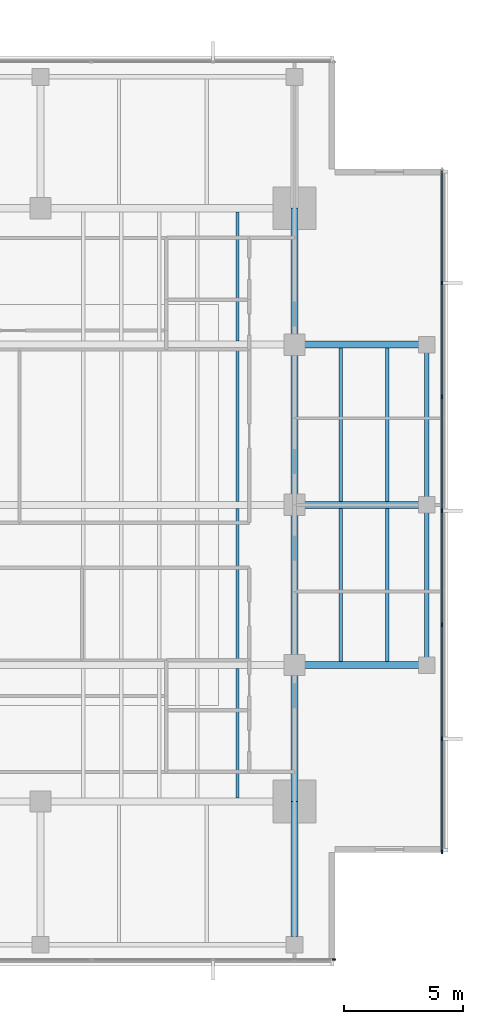
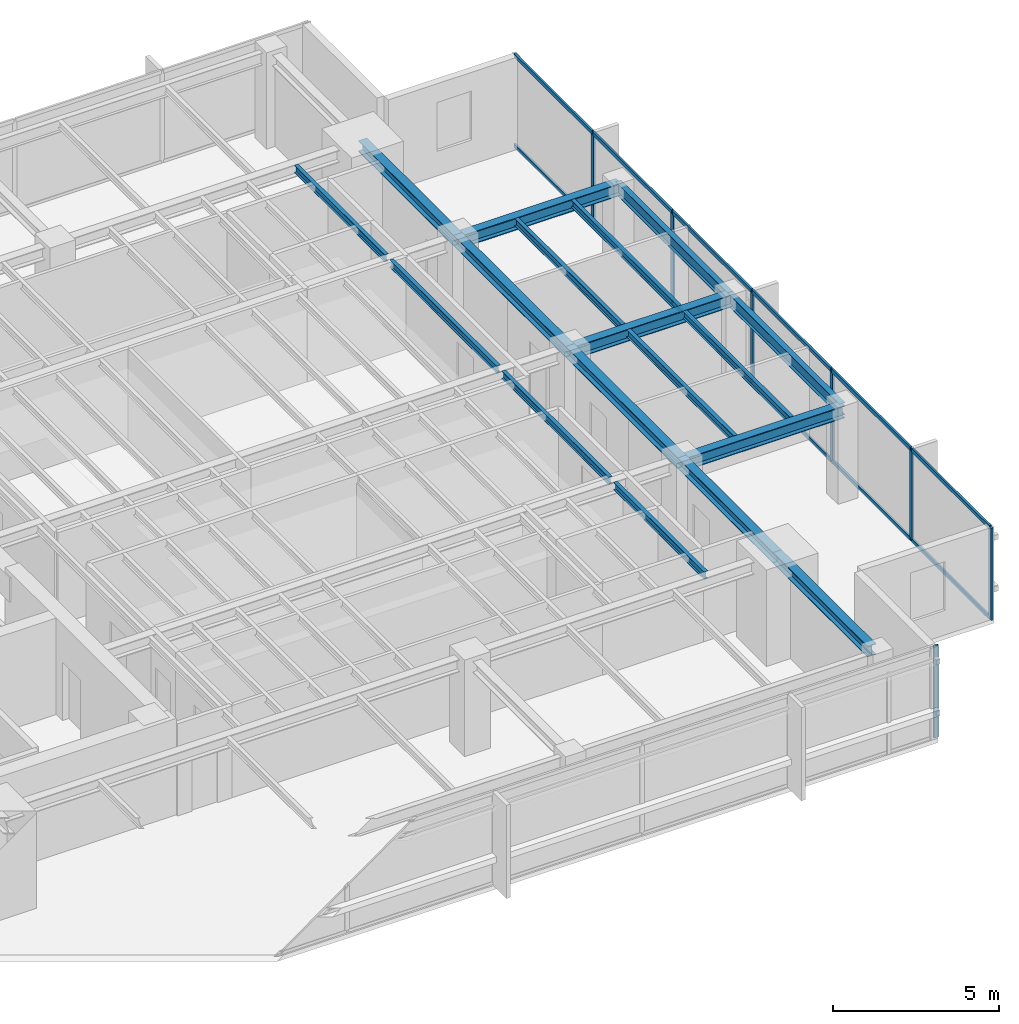
# One storey, part 4 of 14: 19 members, 18 beams, 2 elements without a shape of their own.
"""IFC4 building model written with IfcOpenShell, lengths in metres."""

from ifc_helpers import new_model, si_unit, direction, frame, origin, origin_2d, place, context, subcontext, project, spatial, rectangle, i_section, extrude, material, layer, layer_set, material_profile, profile_set, type_object, element, aggregate, save


model = new_model("IFC4")

# Units and contexts
model_context = context("Model", 3, precision=1e-05, world=origin(), true_north=direction((0.0, 1.0)))
body_context = subcontext(model_context, "Body", "Model", "MODEL_VIEW")
ifc_project = project(units=[si_unit("LENGTHUNIT", "METRE"), si_unit("AREAUNIT", "SQUARE_METRE"), si_unit("VOLUMEUNIT", "CUBIC_METRE"), si_unit("PLANEANGLEUNIT", "RADIAN"), si_unit("MASSUNIT", "GRAM", prefix="KILO")], contexts=[model_context])

# Site, building, storey
site_placement = place(None, origin())
site = spatial("IfcSite", under=ifc_project, at=site_placement, CompositionType="ELEMENT")
building_placement = place(site_placement, origin())
building = spatial("IfcBuilding", under=site, at=building_placement, Name="Kinhvarn Gate Tower", CompositionType="ELEMENT")
storey_placement = place(building_placement, frame((0.0, 0.0, 256.35009765625)))
storey = spatial("IfcBuildingStorey", under=building, at=storey_placement, Name="L68", CompositionType="ELEMENT", Elevation=256.35009765625)

# Curtain wall, member
ifc_material_1 = material(Name="Anodised aluminium AW-6063", Category="aluminium")
ifc_layer = layer(ifc_material_1, 0.179931640625)
ifc_layer_set = layer_set([ifc_layer], Name="Anodised aluminium AW-6063")
curtain_wall_type = type_object("IfcCurtainWallType", Name="CW-SYS-3", PredefinedType="NOTDEFINED", material=ifc_layer_set)
curtain_wall_1_placement = place(storey_placement, origin())
curtain_wall_1 = element("IfcCurtainWall", 1, at=curtain_wall_1_placement, inside=storey, type_object=curtain_wall_type, Name="Curtain Wall CW3 (L68)", PredefinedType="NOTDEFINED")
ifc_material_profile_1 = material_profile(ifc_material_1, rectangle(XDim=0.06494140625, YDim=0.159912109375, at=origin_2d()), Name="ALU 65x160")
ifc_profile_set_1 = profile_set([ifc_material_profile_1], Name="Anodised aluminium AW-6063")
member_type_1 = type_object("IfcMemberType", Name="CW-MUL-160", PredefinedType="MULLION", material=ifc_profile_set_1)
member_1_placement = place(storey_placement, frame((39.867431640625, 6.090087890625, 0.0), z_axis=(0.0, 0.0, 1.0), x_axis=(0.0, 1.0, 0.0)))
member_1 = element("IfcMember", 2, at=member_1_placement, type_object=member_type_1, Name="CW3 mullion 7", PredefinedType="MULLION", context=body_context, shape_type="SweptSolid", body=[
    extrude(rectangle(XDim=0.06494140625, YDim=0.159912109375, at=origin_2d()), origin(), (0.0, 0.0, 1.0), 3.389892578125),
])
aggregate(curtain_wall_1, [member_1])

# Curtain wall, members
curtain_wall_2_placement = place(storey_placement, origin())
curtain_wall_2 = element("IfcCurtainWall", 3, at=curtain_wall_2_placement, inside=storey, type_object=curtain_wall_type, Name="Curtain Wall CW3 (L68)", PredefinedType="NOTDEFINED")
member_2_placement = place(storey_placement, frame((44.409912109375, 10.632568359375, 0.0), z_axis=(0.0, 0.0, 1.0), x_axis=(-1.0, 0.0, 0.0)))
member_2 = element("IfcMember", 4, at=member_2_placement, type_object=member_type_1, Name="CW3 mullion 1", PredefinedType="MULLION", context=body_context, shape_type="SweptSolid", body=[
    extrude(rectangle(XDim=0.06494140625, YDim=0.159912109375, at=origin_2d()), origin(), (0.0, 0.0, 1.0), 3.389892578125),
])
member_3_placement = place(storey_placement, frame((44.409912109375, 15.39990234375, 0.0), z_axis=(0.0, 0.0, 1.0), x_axis=(-1.0, 0.0, 0.0)))
member_3 = element("IfcMember", 5, at=member_3_placement, type_object=member_type_1, Name="CW3 mullion 2", PredefinedType="MULLION", context=body_context, shape_type="SweptSolid", body=[
    extrude(rectangle(XDim=0.06494140625, YDim=0.159912109375, at=origin_2d()), origin(), (0.0, 0.0, 1.0), 3.389892578125),
])
member_4_placement = place(storey_placement, frame((44.409912109375, 20.199951171875, 0.0), z_axis=(0.0, 0.0, 1.0), x_axis=(-1.0, 0.0, 0.0)))
member_4 = element("IfcMember", 6, at=member_4_placement, type_object=member_type_1, Name="CW3 mullion 3", PredefinedType="MULLION", context=body_context, shape_type="SweptSolid", body=[
    extrude(rectangle(XDim=0.06494140625, YDim=0.159912109375, at=origin_2d()), origin(), (0.0, 0.0, 1.0), 3.389892578125),
])
member_5_placement = place(storey_placement, frame((44.409912109375, 25.0, 0.0), z_axis=(0.0, 0.0, 1.0), x_axis=(-1.0, 0.0, 0.0)))
member_5 = element("IfcMember", 7, at=member_5_placement, type_object=member_type_1, Name="CW3 mullion 4", PredefinedType="MULLION", context=body_context, shape_type="SweptSolid", body=[
    extrude(rectangle(XDim=0.06494140625, YDim=0.159912109375, at=origin_2d()), origin(), (0.0, 0.0, 1.0), 3.389892578125),
])
member_6_placement = place(storey_placement, frame((44.409912109375, 29.800048828125, 0.0), z_axis=(0.0, 0.0, 1.0), x_axis=(-1.0, 0.0, 0.0)))
member_6 = element("IfcMember", 8, at=member_6_placement, type_object=member_type_1, Name="CW3 mullion 5", PredefinedType="MULLION", context=body_context, shape_type="SweptSolid", body=[
    extrude(rectangle(XDim=0.06494140625, YDim=0.159912109375, at=origin_2d()), origin(), (0.0, 0.0, 1.0), 3.389892578125),
])
member_7_placement = place(storey_placement, frame((44.409912109375, 34.60009765625, 0.0), z_axis=(0.0, 0.0, 1.0), x_axis=(-1.0, 0.0, 0.0)))
member_7 = element("IfcMember", 9, at=member_7_placement, type_object=member_type_1, Name="CW3 mullion 6", PredefinedType="MULLION", context=body_context, shape_type="SweptSolid", body=[
    extrude(rectangle(XDim=0.06494140625, YDim=0.159912109375, at=origin_2d()), origin(), (0.0, 0.0, 1.0), 3.389892578125),
])
ifc_material_profile_2 = material_profile(ifc_material_1, rectangle(XDim=0.070068359375, YDim=0.139892578125, at=origin_2d()), Name="ALU 70x140")
ifc_profile_set_2 = profile_set([ifc_material_profile_2], Name="Anodised aluminium AW-6063")
member_type_2 = type_object("IfcMemberType", Name="CW-TRN-140", PredefinedType="USERDEFINED", material=ifc_profile_set_2)
member_8_placement = place(storey_placement, frame((44.409912109375, 10.6650390625, 0.034912109375), z_axis=(0.0, 1.0, 0.0), x_axis=(-1.0, 0.0, 0.0)))
member_8 = element("IfcMember", 10, at=member_8_placement, type_object=member_type_2, Name="CW3 transom 1.1", ObjectType="TRANSOM", PredefinedType="USERDEFINED", context=body_context, shape_type="SweptSolid", body=[
    extrude(rectangle(XDim=0.070068359375, YDim=0.139892578125, at=origin_2d()), origin(), (0.0, 0.0, 1.0), 4.702392578125),
])
member_9_placement = place(storey_placement, frame((44.409912109375, 10.6650390625, 3.35498046875), z_axis=(0.0, 1.0, 0.0), x_axis=(-1.0, 0.0, 0.0)))
member_9 = element("IfcMember", 11, at=member_9_placement, type_object=member_type_2, Name="CW3 transom 1.2", ObjectType="TRANSOM", PredefinedType="USERDEFINED", context=body_context, shape_type="SweptSolid", body=[
    extrude(rectangle(XDim=0.070068359375, YDim=0.139892578125, at=origin_2d()), origin(), (0.0, 0.0, 1.0), 4.702392578125),
])
member_10_placement = place(storey_placement, frame((44.409912109375, 15.4326171875, 0.034912109375), z_axis=(0.0, 1.0, 0.0), x_axis=(-1.0, 0.0, 0.0)))
member_10 = element("IfcMember", 12, at=member_10_placement, type_object=member_type_2, Name="CW3 transom 2.1", ObjectType="TRANSOM", PredefinedType="USERDEFINED", context=body_context, shape_type="SweptSolid", body=[
    extrude(rectangle(XDim=0.070068359375, YDim=0.139892578125, at=origin_2d()), origin(), (0.0, 0.0, 1.0), 4.73486328125),
])
member_11_placement = place(storey_placement, frame((44.409912109375, 15.4326171875, 3.35498046875), z_axis=(0.0, 1.0, 0.0), x_axis=(-1.0, 0.0, 0.0)))
member_11 = element("IfcMember", 13, at=member_11_placement, type_object=member_type_2, Name="CW3 transom 2.2", ObjectType="TRANSOM", PredefinedType="USERDEFINED", context=body_context, shape_type="SweptSolid", body=[
    extrude(rectangle(XDim=0.070068359375, YDim=0.139892578125, at=origin_2d()), origin(), (0.0, 0.0, 1.0), 4.73486328125),
])
member_12_placement = place(storey_placement, frame((44.409912109375, 20.232421875, 0.034912109375), z_axis=(0.0, 1.0, 0.0), x_axis=(-1.0, 0.0, 0.0)))
member_12 = element("IfcMember", 14, at=member_12_placement, type_object=member_type_2, Name="CW3 transom 3.1", ObjectType="TRANSOM", PredefinedType="USERDEFINED", context=body_context, shape_type="SweptSolid", body=[
    extrude(rectangle(XDim=0.070068359375, YDim=0.139892578125, at=origin_2d()), origin(), (0.0, 0.0, 1.0), 4.735107421875),
])
member_13_placement = place(storey_placement, frame((44.409912109375, 20.232421875, 3.35498046875), z_axis=(0.0, 1.0, 0.0), x_axis=(-1.0, 0.0, 0.0)))
member_13 = element("IfcMember", 15, at=member_13_placement, type_object=member_type_2, Name="CW3 transom 3.2", ObjectType="TRANSOM", PredefinedType="USERDEFINED", context=body_context, shape_type="SweptSolid", body=[
    extrude(rectangle(XDim=0.070068359375, YDim=0.139892578125, at=origin_2d()), origin(), (0.0, 0.0, 1.0), 4.735107421875),
])
member_14_placement = place(storey_placement, frame((44.409912109375, 25.032470703125, 0.034912109375), z_axis=(0.0, 1.0, 0.0), x_axis=(-1.0, 0.0, 0.0)))
member_14 = element("IfcMember", 16, at=member_14_placement, type_object=member_type_2, Name="CW3 transom 4.1", ObjectType="TRANSOM", PredefinedType="USERDEFINED", context=body_context, shape_type="SweptSolid", body=[
    extrude(rectangle(XDim=0.070068359375, YDim=0.139892578125, at=origin_2d()), origin(), (0.0, 0.0, 1.0), 4.735107421875),
])
member_15_placement = place(storey_placement, frame((44.409912109375, 25.032470703125, 3.35498046875), z_axis=(0.0, 1.0, 0.0), x_axis=(-1.0, 0.0, 0.0)))
member_15 = element("IfcMember", 17, at=member_15_placement, type_object=member_type_2, Name="CW3 transom 4.2", ObjectType="TRANSOM", PredefinedType="USERDEFINED", context=body_context, shape_type="SweptSolid", body=[
    extrude(rectangle(XDim=0.070068359375, YDim=0.139892578125, at=origin_2d()), origin(), (0.0, 0.0, 1.0), 4.735107421875),
])
member_16_placement = place(storey_placement, frame((44.409912109375, 29.83251953125, 0.034912109375), z_axis=(0.0, 1.0, 0.0), x_axis=(-1.0, 0.0, 0.0)))
member_16 = element("IfcMember", 18, at=member_16_placement, type_object=member_type_2, Name="CW3 transom 5.1", ObjectType="TRANSOM", PredefinedType="USERDEFINED", context=body_context, shape_type="SweptSolid", body=[
    extrude(rectangle(XDim=0.070068359375, YDim=0.139892578125, at=origin_2d()), origin(), (0.0, 0.0, 1.0), 4.73486328125),
])
member_17_placement = place(storey_placement, frame((44.409912109375, 29.83251953125, 3.35498046875), z_axis=(0.0, 1.0, 0.0), x_axis=(-1.0, 0.0, 0.0)))
member_17 = element("IfcMember", 19, at=member_17_placement, type_object=member_type_2, Name="CW3 transom 5.2", ObjectType="TRANSOM", PredefinedType="USERDEFINED", context=body_context, shape_type="SweptSolid", body=[
    extrude(rectangle(XDim=0.070068359375, YDim=0.139892578125, at=origin_2d()), origin(), (0.0, 0.0, 1.0), 4.73486328125),
])
member_18_placement = place(storey_placement, frame((44.409912109375, 34.632568359375, 0.034912109375), z_axis=(0.0, 1.0, 0.0), x_axis=(-1.0, 0.0, 0.0)))
member_18 = element("IfcMember", 20, at=member_18_placement, type_object=member_type_2, Name="CW3 transom 6.1", ObjectType="TRANSOM", PredefinedType="USERDEFINED", context=body_context, shape_type="SweptSolid", body=[
    extrude(rectangle(XDim=0.070068359375, YDim=0.139892578125, at=origin_2d()), origin(), (0.0, 0.0, 1.0), 4.702392578125),
])
member_19_placement = place(storey_placement, frame((44.409912109375, 34.632568359375, 3.35498046875), z_axis=(0.0, 1.0, 0.0), x_axis=(-1.0, 0.0, 0.0)))
member_19 = element("IfcMember", 21, at=member_19_placement, type_object=member_type_2, Name="CW3 transom 6.2", ObjectType="TRANSOM", PredefinedType="USERDEFINED", context=body_context, shape_type="SweptSolid", body=[
    extrude(rectangle(XDim=0.070068359375, YDim=0.139892578125, at=origin_2d()), origin(), (0.0, 0.0, 1.0), 4.702392578125),
])
aggregate(curtain_wall_2, [member_2, member_3, member_4, member_5, member_6, member_7, member_8, member_9, member_10, member_11, member_12, member_13, member_14, member_15, member_16, member_17, member_18, member_19])

# Beams
ifc_material_2 = material(Name="Steel S355", Category="steel")
ifc_material_profile_3 = material_profile(ifc_material_2, i_section(OverallWidth=0.300048828125, OverallDepth=0.39990234375, WebThickness=0.013427734375, FlangeThickness=0.02392578125, at=origin_2d()), Name="HEB 400")
ifc_profile_set_3 = profile_set([ifc_material_profile_3], Name="Steel S355")
beam_type_1 = type_object("IfcBeamType", Name="STL-HEB400", PredefinedType="BEAM", material=ifc_profile_set_3)
beam_1_placement = place(storey_placement, frame((38.199951171875, 7.054931640625, 3.18994140625), z_axis=(0.0, 1.0, 0.0), x_axis=(-1.0, 0.0, 0.0)))
element("IfcBeam", 22, at=beam_1_placement, inside=storey, type_object=beam_type_1, Name="Floor Beam PG-12 (L68 MCE-S)", PredefinedType="BEAM", context=body_context, shape_type="SweptSolid", body=[
    extrude(i_section(OverallWidth=0.300048828125, OverallDepth=0.39990234375, WebThickness=0.013427734375, FlangeThickness=0.02392578125, at=origin_2d()), origin(), (0.0, 0.0, 1.0), 5.695068359375),
])
beam_2_placement = place(storey_placement, frame((38.199951171875, 12.75, 3.18994140625), z_axis=(0.0, 1.0, 0.0), x_axis=(-1.0, 0.0, 0.0)))
element("IfcBeam", 23, at=beam_2_placement, inside=storey, type_object=beam_type_1, Name="Floor Beam PG-12 (L68 MG-E-12)", PredefinedType="BEAM", context=body_context, shape_type="SweptSolid", body=[
    extrude(i_section(OverallWidth=0.300048828125, OverallDepth=0.39990234375, WebThickness=0.013427734375, FlangeThickness=0.02392578125, at=origin_2d()), origin(), (0.0, 0.0, 1.0), 5.75),
])
for number, where, z_axis, x_axis, name in (
    (24, (38.199951171875, 18.5, 3.18994140625), (0.0, 1.0, 0.0), (-1.0, 0.0, 0.0), "Floor Beam PG-12 (L68 MG-E-18)"),
    (25, (38.199951171875, 25.25, 3.18994140625), (0.0, 1.0, 0.0), (-1.0, 0.0, 0.0), "Floor Beam PG-12 (L68 MG-E-25)"),
):
    element("IfcBeam", number, at=place(storey_placement, frame(where, z_axis=z_axis, x_axis=x_axis)), inside=storey, type_object=beam_type_1, Name=name, PredefinedType="BEAM", context=body_context, shape_type="SweptSolid", body=[
        extrude(i_section(OverallWidth=0.300048828125, OverallDepth=0.39990234375, WebThickness=0.013427734375, FlangeThickness=0.02392578125, at=origin_2d()), origin(), (0.0, 0.0, 1.0), 6.75),
    ])
beam_3_placement = place(storey_placement, frame((38.199951171875, 32.0, 3.18994140625), z_axis=(0.0, 1.0, 0.0), x_axis=(-1.0, 0.0, 0.0)))
element("IfcBeam", 26, at=beam_3_placement, inside=storey, type_object=beam_type_1, Name="Floor Beam PG-12 (L68 MG-E-32)", PredefinedType="BEAM", context=body_context, shape_type="SweptSolid", body=[
    extrude(i_section(OverallWidth=0.300048828125, OverallDepth=0.39990234375, WebThickness=0.013427734375, FlangeThickness=0.02392578125, at=origin_2d()), origin(), (0.0, 0.0, 1.0), 5.75),
])
ifc_material_profile_4 = material_profile(ifc_material_2, i_section(OverallWidth=0.300048828125, OverallDepth=0.449951171875, WebThickness=0.013916015625, FlangeThickness=0.02587890625, at=origin_2d()), Name="HEB 450")
ifc_profile_set_4 = profile_set([ifc_material_profile_4], Name="Steel S355")
beam_type_2 = type_object("IfcBeamType", Name="STL-HEB450", PredefinedType="BEAM", material=ifc_profile_set_4)
for number, where, z_axis, x_axis, name in (
    (27, (38.199951171875, 18.5, 3.164794921875), (1.0, 0.0, 0.0), (0.0, 1.0, 0.0), "Floor Beam PG-13 (L68 EW2-Y18)"),
    (28, (38.199951171875, 25.25, 3.164794921875), (1.0, 0.0, 0.0), (0.0, 1.0, 0.0), "Floor Beam PG-13 (L68 EW2-Y25)"),
    (29, (38.199951171875, 32.0, 3.164794921875), (1.0, 0.0, 0.0), (0.0, 1.0, 0.0), "Floor Beam PG-13 (L68 EW2-Y32)"),
):
    element("IfcBeam", number, at=place(storey_placement, frame(where, z_axis=z_axis, x_axis=x_axis)), inside=storey, type_object=beam_type_2, Name=name, PredefinedType="BEAM", context=body_context, shape_type="SweptSolid", body=[
        extrude(i_section(OverallWidth=0.300048828125, OverallDepth=0.449951171875, WebThickness=0.013916015625, FlangeThickness=0.02587890625, at=origin_2d()), origin(), (0.0, 0.0, 1.0), 5.580078125),
    ])
ifc_material_profile_5 = material_profile(ifc_material_2, i_section(OverallWidth=0.135009765625, OverallDepth=0.27001953125, WebThickness=0.006591796875, FlangeThickness=0.01025390625, at=origin_2d()), Name="IPE 270")
ifc_profile_set_5 = profile_set([ifc_material_profile_5], Name="Steel S355")
beam_type_3 = type_object("IfcBeamType", Name="STL-IPE270", PredefinedType="JOIST", material=ifc_profile_set_5)
beam_4_placement = place(storey_placement, frame((35.800048828125, 12.89990234375, 3.2548828125), z_axis=(0.0, 1.0, 0.0), x_axis=(-1.0, 0.0, 0.0)))
element("IfcBeam", 30, at=beam_4_placement, inside=storey, type_object=beam_type_3, Name="Floor Joist SB-01 (L68 JC-X358-0)", PredefinedType="JOIST", context=body_context, shape_type="SweptSolid", body=[
    extrude(i_section(OverallWidth=0.135009765625, OverallDepth=0.27001953125, WebThickness=0.006591796875, FlangeThickness=0.01025390625, at=origin_2d()), origin(), (0.0, 0.0, 1.0), 5.4501953125),
])
for number, where, z_axis, x_axis, name in (
    (31, (35.800048828125, 18.64990234375, 3.2548828125), (0.0, 1.0, 0.0), (-1.0, 0.0, 0.0), "Floor Joist SB-01 (L68 JC-X358-1)"),
    (32, (35.800048828125, 25.39990234375, 3.2548828125), (0.0, 1.0, 0.0), (-1.0, 0.0, 0.0), "Floor Joist SB-01 (L68 JC-X358-2)"),
):
    element("IfcBeam", number, at=place(storey_placement, frame(where, z_axis=z_axis, x_axis=x_axis)), inside=storey, type_object=beam_type_3, Name=name, PredefinedType="JOIST", context=body_context, shape_type="SweptSolid", body=[
        extrude(i_section(OverallWidth=0.135009765625, OverallDepth=0.27001953125, WebThickness=0.006591796875, FlangeThickness=0.01025390625, at=origin_2d()), origin(), (0.0, 0.0, 1.0), 6.4501953125),
    ])
beam_5_placement = place(storey_placement, frame((35.800048828125, 32.14990234375, 3.2548828125), z_axis=(0.0, 1.0, 0.0), x_axis=(-1.0, 0.0, 0.0)))
element("IfcBeam", 33, at=beam_5_placement, inside=storey, type_object=beam_type_3, Name="Floor Joist SB-01 (L68 JC-X358-3)", PredefinedType="JOIST", context=body_context, shape_type="SweptSolid", body=[
    extrude(i_section(OverallWidth=0.135009765625, OverallDepth=0.27001953125, WebThickness=0.006591796875, FlangeThickness=0.01025390625, at=origin_2d()), origin(), (0.0, 0.0, 1.0), 5.4501953125),
])
for number, where, z_axis, x_axis, name in (
    (34, (40.14990234375, 18.64990234375, 3.2548828125), (0.0, 1.0, 0.0), (-1.0, 0.0, 0.0), "Floor Joist SB-01 (L68 JC-X401-1)"),
    (35, (40.14990234375, 25.39990234375, 3.2548828125), (0.0, 1.0, 0.0), (-1.0, 0.0, 0.0), "Floor Joist SB-01 (L68 JC-X401-2)"),
    (36, (42.110107421875, 18.64990234375, 3.2548828125), (0.0, 1.0, 0.0), (-1.0, 0.0, 0.0), "Floor Joist SB-01 (L68 JC-X421-1)"),
    (37, (42.110107421875, 25.39990234375, 3.2548828125), (0.0, 1.0, 0.0), (-1.0, 0.0, 0.0), "Floor Joist SB-01 (L68 JC-X421-2)"),
):
    element("IfcBeam", number, at=place(storey_placement, frame(where, z_axis=z_axis, x_axis=x_axis)), inside=storey, type_object=beam_type_3, Name=name, PredefinedType="JOIST", context=body_context, shape_type="SweptSolid", body=[
        extrude(i_section(OverallWidth=0.135009765625, OverallDepth=0.27001953125, WebThickness=0.006591796875, FlangeThickness=0.01025390625, at=origin_2d()), origin(), (0.0, 0.0, 1.0), 6.4501953125),
    ])
ifc_material_profile_6 = material_profile(ifc_material_2, i_section(OverallWidth=0.18994140625, OverallDepth=0.449951171875, WebThickness=0.009521484375, FlangeThickness=0.0146484375, at=origin_2d()), Name="IPE 450")
ifc_profile_set_6 = profile_set([ifc_material_profile_6], Name="Steel S355")
beam_type_4 = type_object("IfcBeamType", Name="STL-IPE450", PredefinedType="JOIST", material=ifc_profile_set_6)
for number, where, z_axis, x_axis, name in (
    (38, (43.780029296875, 18.5, 3.164794921875), (0.0, 1.0, 0.0), (-1.0, 0.0, 0.0), "Floor Joist SB-06 (L68 SP-E2)"),
    (39, (43.780029296875, 25.25, 3.164794921875), (0.0, 1.0, 0.0), (-1.0, 0.0, 0.0), "Floor Joist SB-06 (L68 SP-E3)"),
):
    element("IfcBeam", number, at=place(storey_placement, frame(where, z_axis=z_axis, x_axis=x_axis)), inside=storey, type_object=beam_type_4, Name=name, PredefinedType="JOIST", context=body_context, shape_type="SweptSolid", body=[
        extrude(i_section(OverallWidth=0.18994140625, OverallDepth=0.449951171875, WebThickness=0.009521484375, FlangeThickness=0.0146484375, at=origin_2d()), origin(), (0.0, 0.0, 1.0), 6.75),
    ])

save(model, "model.ifc")
